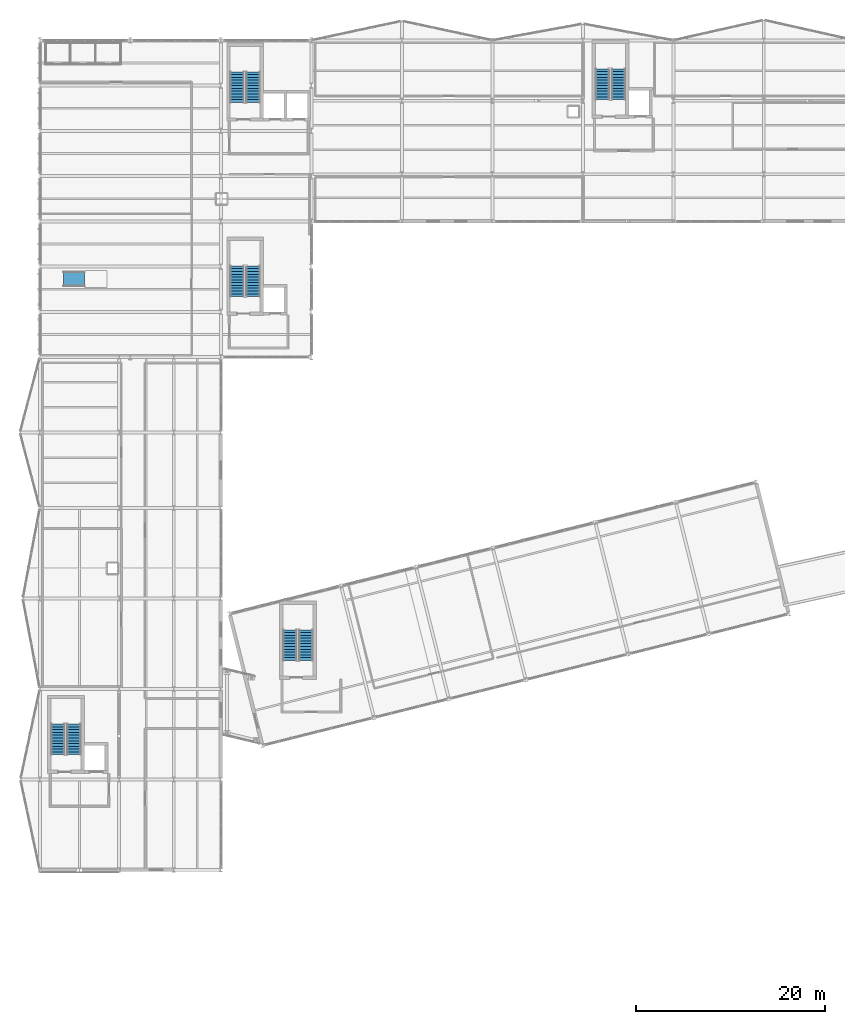
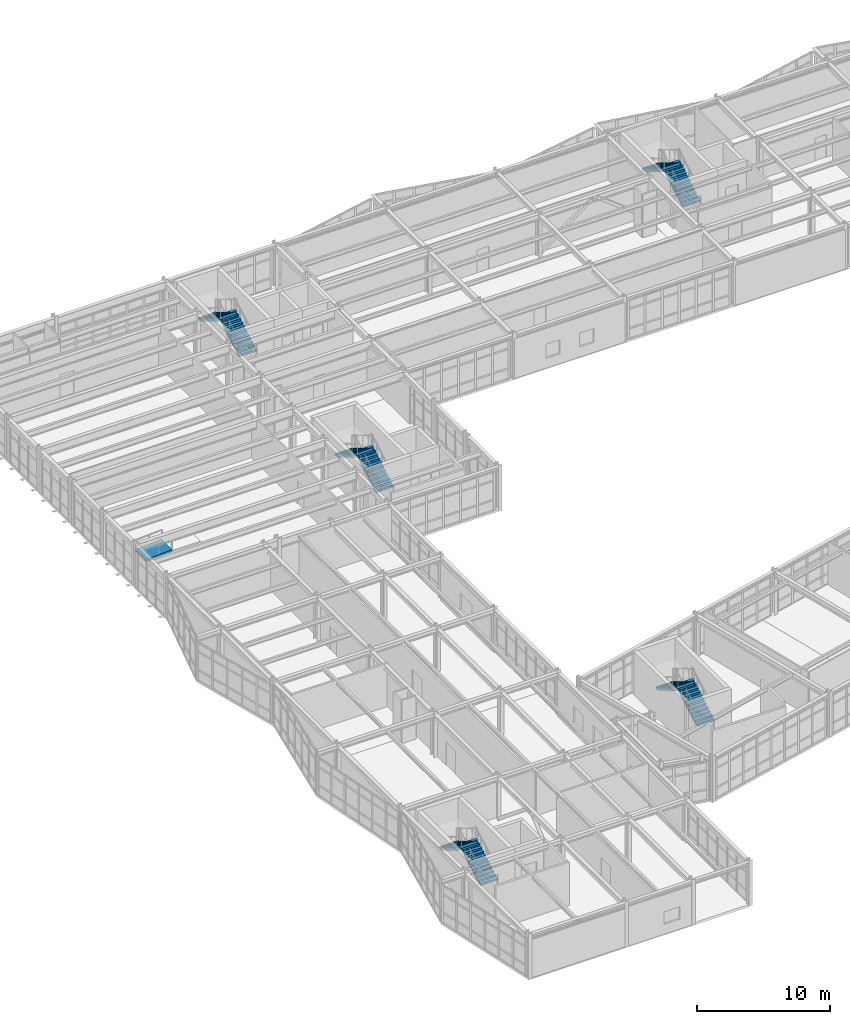
# One storey, part 69 of 76: 10 stair flights, 1 ramp flight, 6 elements without a shape of their own.
"""IFC4 building model written with IfcOpenShell, lengths in metres."""

from ifc_helpers import new_model, si_unit, direction, frame, origin, place, context, subcontext, project, spatial, polyline, outline, extrude, material, layer, layer_set, type_object, element, aggregate, save


model = new_model("IFC4")

# Units and contexts
model_context = context("Model", 3, precision=1e-05, world=origin(), true_north=direction((0.0, 1.0)))
body_context = subcontext(model_context, "Body", "Model", "MODEL_VIEW")
ifc_project = project(units=[si_unit("LENGTHUNIT", "METRE"), si_unit("AREAUNIT", "SQUARE_METRE"), si_unit("VOLUMEUNIT", "CUBIC_METRE"), si_unit("PLANEANGLEUNIT", "RADIAN"), si_unit("MASSUNIT", "GRAM", prefix="KILO")], contexts=[model_context])

# Site, building, storey
site_placement = place(None, origin())
site = spatial("IfcSite", under=ifc_project, at=site_placement, CompositionType="ELEMENT")
building_placement = place(site_placement, origin())
building = spatial("IfcBuilding", under=site, at=building_placement, Name="Nordkorset Police Headquarters", CompositionType="ELEMENT")
storey_placement = place(building_placement, frame((0.0, 0.0, 13.64990234375)))
storey = spatial("IfcBuildingStorey", under=building, at=storey_placement, Name="L03", CompositionType="ELEMENT", Elevation=13.64990234375)

# Stair, stair flights
ifc_material_1 = material(Name="Concrete C35/45", Category="concrete")
stair_type = type_object("IfcStairType", Name="ST-42", PredefinedType="HALF_TURN_STAIR", material=ifc_material_1)
stair_1_placement = place(storey_placement, origin())
stair_1 = element("IfcStair", 1, at=stair_1_placement, inside=storey, type_object=stair_type, Name="L03 Protected Escape Stair ST-01", PredefinedType="HALF_TURN_STAIR")
ifc_material_2 = material(Name="Concrete C35/45", Category="concrete")
stair_flight_type = type_object("IfcStairFlightType", Name="SF-42", PredefinedType="STRAIGHT", material=ifc_material_2)
stair_flight_1_placement = place(storey_placement, frame((22.625, 110.22509765625, 0.0), z_axis=(0.0, 0.0, 1.0), x_axis=(0.0, 1.0, 0.0)))
stair_flight_1 = element("IfcStairFlight", 2, at=stair_flight_1_placement, type_object=stair_flight_type, Name="ST-01 flight 1", NumberOfRisers=12, NumberOfTreads=11, PredefinedType="STRAIGHT", RiserHeight=0.175, TreadLength=0.295, context=body_context, shape_type="SweptSolid", body=[
    extrude(outline(polyline([(0.0, 0.0), (0.0, 0.175048828125), (0.294921875, 0.175048828125), (0.294921875, 0.35009765625), (0.590087890625, 0.35009765625), (0.590087890625, 0.52490234375), (0.885009765625, 0.52490234375), (0.885009765625, 0.699951171875), (1.179931640625, 0.699951171875), (1.179931640625, 0.875), (1.47509765625, 0.875), (1.47509765625, 1.050048828125), (1.77001953125, 1.050048828125), (1.77001953125, 1.22509765625), (2.06494140625, 1.22509765625), (2.06494140625, 1.39990234375), (2.360107421875, 1.39990234375), (2.360107421875, 1.574951171875), (2.655029296875, 1.574951171875), (2.655029296875, 1.75), (2.949951171875, 1.75), (2.949951171875, 1.925048828125), (3.2451171875, 1.925048828125), (3.2451171875, 2.10009765625), (3.2451171875, 1.739013671875), (0.3134765625, 0.0), (0.0, 0.0)])), frame((0.0, 0.75, 0.0), z_axis=(0.0, -1.0, 0.0), x_axis=(1.0, 0.0, 0.0)), (0.0, 0.0, 1.0), 1.5),
])
stair_flight_2_placement = place(storey_placement, frame((20.925048828125, 113.469970703125, 2.10009765625), z_axis=(0.0, 0.0, 1.0), x_axis=(0.0, -1.0, 0.0)))
stair_flight_2 = element("IfcStairFlight", 3, at=stair_flight_2_placement, type_object=stair_flight_type, Name="ST-01 flight 2", NumberOfRisers=12, NumberOfTreads=11, PredefinedType="STRAIGHT", RiserHeight=0.175, TreadLength=0.295, context=body_context, shape_type="SweptSolid", body=[
    extrude(outline(polyline([(0.0, 0.0), (0.0, 0.175048828125), (0.294921875, 0.175048828125), (0.294921875, 0.35009765625), (0.590087890625, 0.35009765625), (0.590087890625, 0.52490234375), (0.885009765625, 0.52490234375), (0.885009765625, 0.699951171875), (1.179931640625, 0.699951171875), (1.179931640625, 0.875), (1.47509765625, 0.875), (1.47509765625, 1.050048828125), (1.77001953125, 1.050048828125), (1.77001953125, 1.22509765625), (2.06494140625, 1.22509765625), (2.06494140625, 1.39990234375), (2.360107421875, 1.39990234375), (2.360107421875, 1.574951171875), (2.655029296875, 1.574951171875), (2.655029296875, 1.75), (2.949951171875, 1.75), (2.949951171875, 1.925048828125), (3.2451171875, 1.925048828125), (3.2451171875, 2.10009765625), (3.2451171875, 1.739013671875), (0.3134765625, 0.0), (0.0, 0.0)])), frame((0.0, 0.75, 0.0), z_axis=(0.0, -1.0, 0.0), x_axis=(1.0, 0.0, 0.0)), (0.0, 0.0, 1.0), 1.5),
])
aggregate(stair_1, [stair_flight_1, stair_flight_2])

stair_2_placement = place(storey_placement, origin())
stair_2 = element("IfcStair", 4, at=stair_2_placement, inside=storey, type_object=stair_type, Name="L03 Protected Escape Stair ST-03", PredefinedType="HALF_TURN_STAIR")
stair_flight_3_placement = place(storey_placement, frame((22.625, 89.625, 0.0), z_axis=(0.0, 0.0, 1.0), x_axis=(0.0, 1.0, 0.0)))
stair_flight_3 = element("IfcStairFlight", 5, at=stair_flight_3_placement, type_object=stair_flight_type, Name="ST-03 flight 1", NumberOfRisers=12, NumberOfTreads=11, PredefinedType="STRAIGHT", RiserHeight=0.175, TreadLength=0.295, context=body_context, shape_type="SweptSolid", body=[
    extrude(outline(polyline([(0.0, 0.0), (0.0, 0.175048828125), (0.294921875, 0.175048828125), (0.294921875, 0.35009765625), (0.590087890625, 0.35009765625), (0.590087890625, 0.52490234375), (0.885009765625, 0.52490234375), (0.885009765625, 0.699951171875), (1.179931640625, 0.699951171875), (1.179931640625, 0.875), (1.47509765625, 0.875), (1.47509765625, 1.050048828125), (1.77001953125, 1.050048828125), (1.77001953125, 1.22509765625), (2.06494140625, 1.22509765625), (2.06494140625, 1.39990234375), (2.360107421875, 1.39990234375), (2.360107421875, 1.574951171875), (2.655029296875, 1.574951171875), (2.655029296875, 1.75), (2.949951171875, 1.75), (2.949951171875, 1.925048828125), (3.2451171875, 1.925048828125), (3.2451171875, 2.10009765625), (3.2451171875, 1.739013671875), (0.3134765625, 0.0), (0.0, 0.0)])), frame((0.0, 0.75, 0.0), z_axis=(0.0, -1.0, 0.0), x_axis=(1.0, 0.0, 0.0)), (0.0, 0.0, 1.0), 1.5),
])
stair_flight_4_placement = place(storey_placement, frame((20.925048828125, 92.8701171875, 2.10009765625), z_axis=(0.0, 0.0, 1.0), x_axis=(0.0, -1.0, 0.0)))
stair_flight_4 = element("IfcStairFlight", 6, at=stair_flight_4_placement, type_object=stair_flight_type, Name="ST-03 flight 2", NumberOfRisers=12, NumberOfTreads=11, PredefinedType="STRAIGHT", RiserHeight=0.175, TreadLength=0.295, context=body_context, shape_type="SweptSolid", body=[
    extrude(outline(polyline([(0.0, 0.0), (0.0, 0.175048828125), (0.294921875, 0.175048828125), (0.294921875, 0.35009765625), (0.590087890625, 0.35009765625), (0.590087890625, 0.52490234375), (0.885009765625, 0.52490234375), (0.885009765625, 0.699951171875), (1.179931640625, 0.699951171875), (1.179931640625, 0.875), (1.47509765625, 0.875), (1.47509765625, 1.050048828125), (1.77001953125, 1.050048828125), (1.77001953125, 1.22509765625), (2.06494140625, 1.22509765625), (2.06494140625, 1.39990234375), (2.360107421875, 1.39990234375), (2.360107421875, 1.574951171875), (2.655029296875, 1.574951171875), (2.655029296875, 1.75), (2.949951171875, 1.75), (2.949951171875, 1.925048828125), (3.2451171875, 1.925048828125), (3.2451171875, 2.10009765625), (3.2451171875, 1.739013671875), (0.3134765625, 0.0), (0.0, 0.0)])), frame((0.0, 0.75, 0.0), z_axis=(0.0, -1.0, 0.0), x_axis=(1.0, 0.0, 0.0)), (0.0, 0.0, 1.0), 1.5),
])
aggregate(stair_2, [stair_flight_3, stair_flight_4])

stair_3_placement = place(storey_placement, origin())
stair_3 = element("IfcStair", 7, at=stair_3_placement, inside=storey, type_object=stair_type, Name="L03 Protected Escape Stair ST-02", PredefinedType="HALF_TURN_STAIR")
stair_flight_5_placement = place(storey_placement, frame((61.375, 110.52490234375, 0.0), z_axis=(0.0, 0.0, 1.0), x_axis=(0.0, 1.0, 0.0)))
stair_flight_5 = element("IfcStairFlight", 8, at=stair_flight_5_placement, type_object=stair_flight_type, Name="ST-02 flight 1", NumberOfRisers=12, NumberOfTreads=11, PredefinedType="STRAIGHT", RiserHeight=0.175, TreadLength=0.295, context=body_context, shape_type="SweptSolid", body=[
    extrude(outline(polyline([(0.0, 0.0), (0.0, 0.175048828125), (0.294921875, 0.175048828125), (0.294921875, 0.35009765625), (0.590087890625, 0.35009765625), (0.590087890625, 0.52490234375), (0.885009765625, 0.52490234375), (0.885009765625, 0.699951171875), (1.179931640625, 0.699951171875), (1.179931640625, 0.875), (1.47509765625, 0.875), (1.47509765625, 1.050048828125), (1.77001953125, 1.050048828125), (1.77001953125, 1.22509765625), (2.06494140625, 1.22509765625), (2.06494140625, 1.39990234375), (2.360107421875, 1.39990234375), (2.360107421875, 1.574951171875), (2.655029296875, 1.574951171875), (2.655029296875, 1.75), (2.949951171875, 1.75), (2.949951171875, 1.925048828125), (3.2451171875, 1.925048828125), (3.2451171875, 2.10009765625), (3.2451171875, 1.739013671875), (0.3134765625, 0.0), (0.0, 0.0)])), frame((0.0, 0.75, 0.0), z_axis=(0.0, -1.0, 0.0), x_axis=(1.0, 0.0, 0.0)), (0.0, 0.0, 1.0), 1.5),
])
stair_flight_6_placement = place(storey_placement, frame((59.675048828125, 113.77001953125, 2.10009765625), z_axis=(0.0, 0.0, 1.0), x_axis=(0.0, -1.0, 0.0)))
stair_flight_6 = element("IfcStairFlight", 9, at=stair_flight_6_placement, type_object=stair_flight_type, Name="ST-02 flight 2", NumberOfRisers=12, NumberOfTreads=11, PredefinedType="STRAIGHT", RiserHeight=0.175, TreadLength=0.295, context=body_context, shape_type="SweptSolid", body=[
    extrude(outline(polyline([(0.0, 0.0), (0.0, 0.175048828125), (0.294921875, 0.175048828125), (0.294921875, 0.35009765625), (0.590087890625, 0.35009765625), (0.590087890625, 0.52490234375), (0.885009765625, 0.52490234375), (0.885009765625, 0.699951171875), (1.179931640625, 0.699951171875), (1.179931640625, 0.875), (1.47509765625, 0.875), (1.47509765625, 1.050048828125), (1.77001953125, 1.050048828125), (1.77001953125, 1.22509765625), (2.06494140625, 1.22509765625), (2.06494140625, 1.39990234375), (2.360107421875, 1.39990234375), (2.360107421875, 1.574951171875), (2.655029296875, 1.574951171875), (2.655029296875, 1.75), (2.949951171875, 1.75), (2.949951171875, 1.925048828125), (3.2451171875, 1.925048828125), (3.2451171875, 2.10009765625), (3.2451171875, 1.739013671875), (0.3134765625, 0.0), (0.0, 0.0)])), frame((0.0, 0.75, 0.0), z_axis=(0.0, -1.0, 0.0), x_axis=(1.0, 0.0, 0.0)), (0.0, 0.0, 1.0), 1.5),
])
aggregate(stair_3, [stair_flight_5, stair_flight_6])

stair_4_placement = place(storey_placement, origin())
stair_4 = element("IfcStair", 10, at=stair_4_placement, inside=storey, type_object=stair_type, Name="L03 Protected Escape Stair ST-04", PredefinedType="HALF_TURN_STAIR")
stair_flight_7_placement = place(storey_placement, frame((3.625, 41.02490234375, 0.0), z_axis=(0.0, 0.0, 1.0), x_axis=(0.0, 1.0, 0.0)))
stair_flight_7 = element("IfcStairFlight", 11, at=stair_flight_7_placement, type_object=stair_flight_type, Name="ST-04 flight 1", NumberOfRisers=12, NumberOfTreads=11, PredefinedType="STRAIGHT", RiserHeight=0.175, TreadLength=0.295, context=body_context, shape_type="SweptSolid", body=[
    extrude(outline(polyline([(0.0, 0.0), (0.0, 0.175048828125), (0.294921875, 0.175048828125), (0.294921875, 0.35009765625), (0.590087890625, 0.35009765625), (0.590087890625, 0.52490234375), (0.885009765625, 0.52490234375), (0.885009765625, 0.699951171875), (1.179931640625, 0.699951171875), (1.179931640625, 0.875), (1.47509765625, 0.875), (1.47509765625, 1.050048828125), (1.77001953125, 1.050048828125), (1.77001953125, 1.22509765625), (2.06494140625, 1.22509765625), (2.06494140625, 1.39990234375), (2.360107421875, 1.39990234375), (2.360107421875, 1.574951171875), (2.655029296875, 1.574951171875), (2.655029296875, 1.75), (2.949951171875, 1.75), (2.949951171875, 1.925048828125), (3.2451171875, 1.925048828125), (3.2451171875, 2.10009765625), (3.2451171875, 1.739013671875), (0.3134765625, 0.0), (0.0, 0.0)])), frame((0.0, 0.75, 0.0), z_axis=(0.0, -1.0, 0.0), x_axis=(1.0, 0.0, 0.0)), (0.0, 0.0, 1.0), 1.5),
])
stair_flight_8_placement = place(storey_placement, frame((1.925048828125, 44.27001953125, 2.10009765625), z_axis=(0.0, 0.0, 1.0), x_axis=(0.0, -1.0, 0.0)))
stair_flight_8 = element("IfcStairFlight", 12, at=stair_flight_8_placement, type_object=stair_flight_type, Name="ST-04 flight 2", NumberOfRisers=12, NumberOfTreads=11, PredefinedType="STRAIGHT", RiserHeight=0.175, TreadLength=0.295, context=body_context, shape_type="SweptSolid", body=[
    extrude(outline(polyline([(0.0, 0.0), (0.0, 0.175048828125), (0.294921875, 0.175048828125), (0.294921875, 0.35009765625), (0.590087890625, 0.35009765625), (0.590087890625, 0.52490234375), (0.885009765625, 0.52490234375), (0.885009765625, 0.699951171875), (1.179931640625, 0.699951171875), (1.179931640625, 0.875), (1.47509765625, 0.875), (1.47509765625, 1.050048828125), (1.77001953125, 1.050048828125), (1.77001953125, 1.22509765625), (2.06494140625, 1.22509765625), (2.06494140625, 1.39990234375), (2.360107421875, 1.39990234375), (2.360107421875, 1.574951171875), (2.655029296875, 1.574951171875), (2.655029296875, 1.75), (2.949951171875, 1.75), (2.949951171875, 1.925048828125), (3.2451171875, 1.925048828125), (3.2451171875, 2.10009765625), (3.2451171875, 1.739013671875), (0.3134765625, 0.0), (0.0, 0.0)])), frame((0.0, 0.75, 0.0), z_axis=(0.0, -1.0, 0.0), x_axis=(1.0, 0.0, 0.0)), (0.0, 0.0, 1.0), 1.5),
])
aggregate(stair_4, [stair_flight_7, stair_flight_8])

stair_5_placement = place(storey_placement, origin())
stair_5 = element("IfcStair", 13, at=stair_5_placement, inside=storey, type_object=stair_type, Name="L03 Protected Escape Stair ST-08", PredefinedType="HALF_TURN_STAIR")
stair_flight_9_placement = place(storey_placement, frame((28.22509765625, 51.02490234375, 0.0), z_axis=(0.0, 0.0, 1.0), x_axis=(0.0, 1.0, 0.0)))
stair_flight_9 = element("IfcStairFlight", 14, at=stair_flight_9_placement, type_object=stair_flight_type, Name="ST-08 flight 1", NumberOfRisers=12, NumberOfTreads=11, PredefinedType="STRAIGHT", RiserHeight=0.175, TreadLength=0.295, context=body_context, shape_type="SweptSolid", body=[
    extrude(outline(polyline([(0.0, 0.0), (0.0, 0.175048828125), (0.294921875, 0.175048828125), (0.294921875, 0.35009765625), (0.590087890625, 0.35009765625), (0.590087890625, 0.52490234375), (0.885009765625, 0.52490234375), (0.885009765625, 0.699951171875), (1.179931640625, 0.699951171875), (1.179931640625, 0.875), (1.47509765625, 0.875), (1.47509765625, 1.050048828125), (1.77001953125, 1.050048828125), (1.77001953125, 1.22509765625), (2.06494140625, 1.22509765625), (2.06494140625, 1.39990234375), (2.360107421875, 1.39990234375), (2.360107421875, 1.574951171875), (2.655029296875, 1.574951171875), (2.655029296875, 1.75), (2.949951171875, 1.75), (2.949951171875, 1.925048828125), (3.2451171875, 1.925048828125), (3.2451171875, 2.10009765625), (3.2451171875, 1.739013671875), (0.3134765625, 0.0), (0.0, 0.0)])), frame((0.0, 0.75, 0.0), z_axis=(0.0, -1.0, 0.0), x_axis=(1.0, 0.0, 0.0)), (0.0, 0.0, 1.0), 1.5),
])
stair_flight_10_placement = place(storey_placement, frame((26.52490234375, 54.27001953125, 2.10009765625), z_axis=(0.0, 0.0, 1.0), x_axis=(0.0, -1.0, 0.0)))
stair_flight_10 = element("IfcStairFlight", 15, at=stair_flight_10_placement, type_object=stair_flight_type, Name="ST-08 flight 2", NumberOfRisers=12, NumberOfTreads=11, PredefinedType="STRAIGHT", RiserHeight=0.175, TreadLength=0.295, context=body_context, shape_type="SweptSolid", body=[
    extrude(outline(polyline([(0.0, 0.0), (0.0, 0.175048828125), (0.294921875, 0.175048828125), (0.294921875, 0.35009765625), (0.590087890625, 0.35009765625), (0.590087890625, 0.52490234375), (0.885009765625, 0.52490234375), (0.885009765625, 0.699951171875), (1.179931640625, 0.699951171875), (1.179931640625, 0.875), (1.47509765625, 0.875), (1.47509765625, 1.050048828125), (1.77001953125, 1.050048828125), (1.77001953125, 1.22509765625), (2.06494140625, 1.22509765625), (2.06494140625, 1.39990234375), (2.360107421875, 1.39990234375), (2.360107421875, 1.574951171875), (2.655029296875, 1.574951171875), (2.655029296875, 1.75), (2.949951171875, 1.75), (2.949951171875, 1.925048828125), (3.2451171875, 1.925048828125), (3.2451171875, 2.10009765625), (3.2451171875, 1.739013671875), (0.3134765625, 0.0), (0.0, 0.0)])), frame((0.0, 0.75, 0.0), z_axis=(0.0, -1.0, 0.0), x_axis=(1.0, 0.0, 0.0)), (0.0, 0.0, 1.0), 1.5),
])
aggregate(stair_5, [stair_flight_9, stair_flight_10])

# Ramp, ramp flight
ifc_material_3 = material(Name="Concrete C35/45", Category="concrete")
ramp_type = type_object("IfcRampType", Name="Ramp_Access_1600", PredefinedType="STRAIGHT_RUN_RAMP", material=ifc_material_3)
ramp_placement = place(storey_placement, origin())
ramp = element("IfcRamp", 16, at=ramp_placement, inside=storey, type_object=ramp_type, Name="Cybercrime Operations Dais Ramp", PredefinedType="STRAIGHT_RUN_RAMP")
ifc_material_4 = material(Name="Concrete C35/45", Category="concrete")
ifc_layer = layer(ifc_material_4, 0.219970703125, Name="Concrete C35/45")
ifc_layer_set = layer_set([ifc_layer], Name="Concrete C35/45")
ramp_flight_type = type_object("IfcRampFlightType", Name="RampFlight_Access_1600", PredefinedType="STRAIGHT", material=ifc_layer_set)
ramp_flight_placement = place(storey_placement, frame((2.5, 91.5, 0.0), z_axis=(0.0, 0.0, 1.0), x_axis=(1.0, 0.0, 0.0)))
ramp_flight = element("IfcRampFlight", 17, at=ramp_flight_placement, type_object=ramp_flight_type, Name="Cybercrime Operations Dais Ramp Flight", PredefinedType="STRAIGHT", context=body_context, shape_type="SweptSolid", body=[
    extrude(outline(polyline([(0.0, 0.0), (2.239990234375, 0.139892578125), (2.239990234375, -0.080078125), (0.0, -0.219970703125), (0.0, 0.0)])), frame((0.0, 0.800048828125, 0.0), z_axis=(0.0, -1.0, 0.0), x_axis=(1.0, 0.0, 0.0)), (0.0, 0.0, 1.0), 1.60009765625),
])
aggregate(ramp, [ramp_flight])

save(model, "model.ifc")
